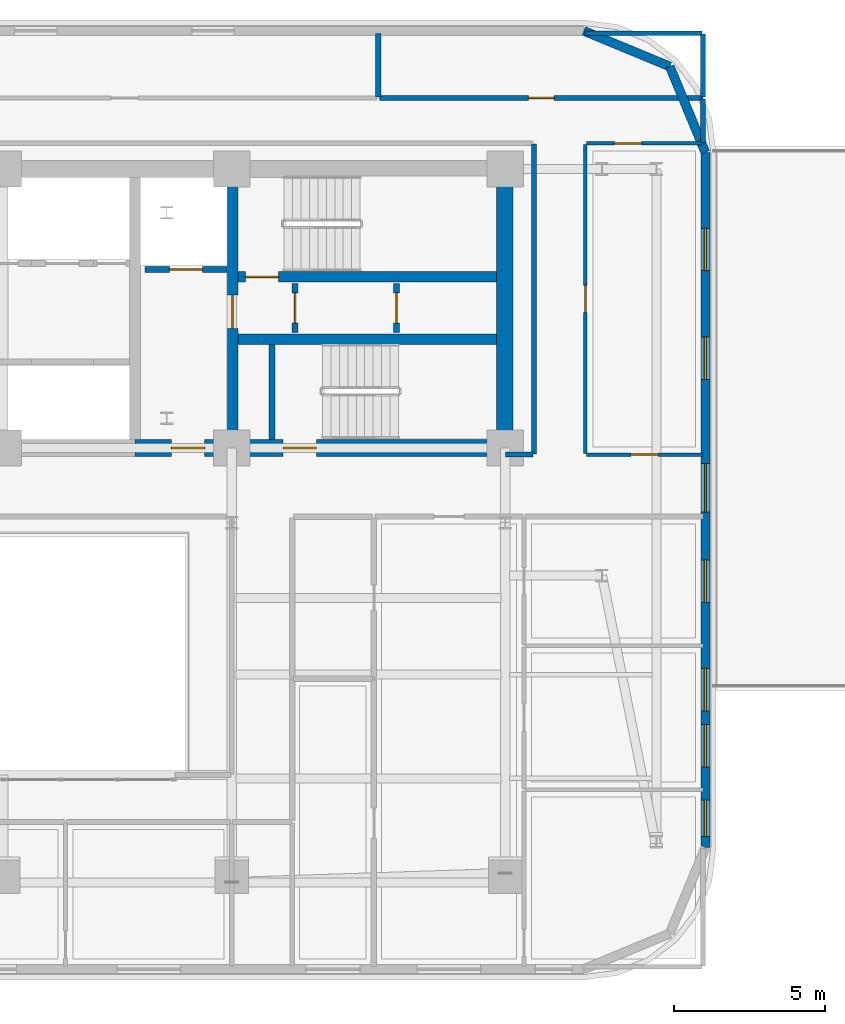
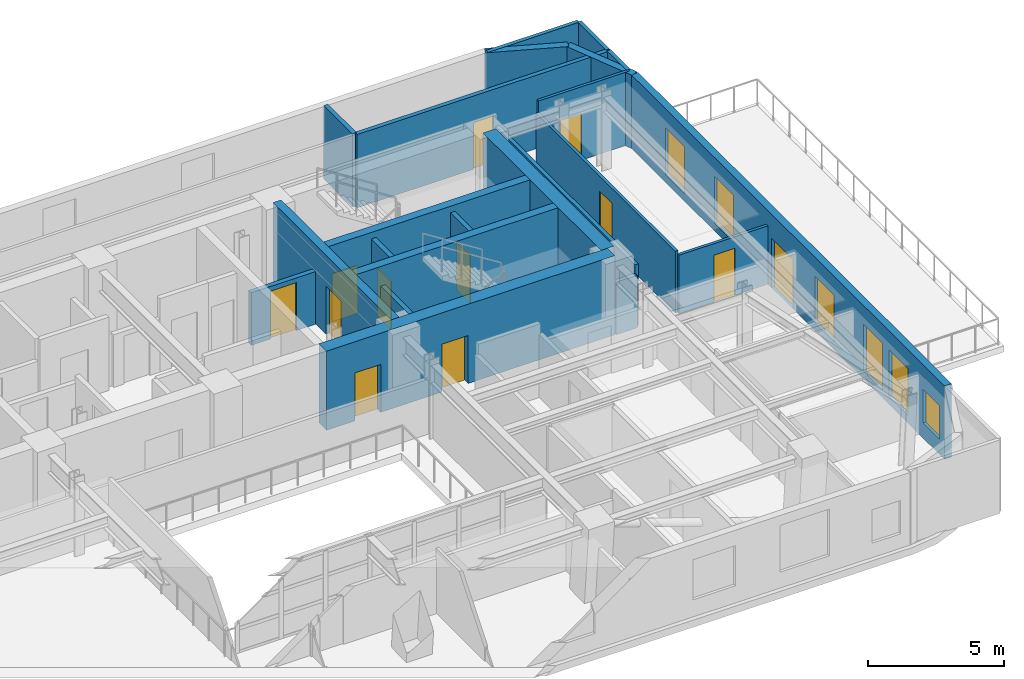
# One storey, part 9 of 13: 22 walls, 12 doors, 6 windows, 18 openings.
"""IFC4 building model written with IfcOpenShell, lengths in metres."""

from ifc_helpers import new_model, si_unit, direction, frame, frame_2d, origin, place, context, subcontext, project, spatial, rectangle, extrude, material, layer, layer_set, type_object, element, fill, save


model = new_model("IFC4")

# Units and contexts
model_context = context("Model", 3, precision=1e-05, world=origin(), true_north=direction((0.0, 1.0)))
body_context = subcontext(model_context, "Body", "Model", "MODEL_VIEW")
ifc_project = project(units=[si_unit("LENGTHUNIT", "METRE"), si_unit("AREAUNIT", "SQUARE_METRE"), si_unit("VOLUMEUNIT", "CUBIC_METRE"), si_unit("PLANEANGLEUNIT", "RADIAN"), si_unit("MASSUNIT", "GRAM", prefix="KILO")], contexts=[model_context])

# Site, building, storey
site_placement = place(None, origin())
site = spatial("IfcSite", under=ifc_project, at=site_placement, CompositionType="ELEMENT")
building_placement = place(site_placement, origin())
building = spatial("IfcBuilding", under=site, at=building_placement, Name="Zarnavel Station Tower", CompositionType="ELEMENT")
storey_placement = place(building_placement, frame((0.0, 0.0, 137.699951171875)))
storey = spatial("IfcBuildingStorey", under=building, at=storey_placement, Name="L37", CompositionType="ELEMENT", Elevation=137.699951171875)

# Wall, opening, door
ifc_material_1 = material(Name="Concrete C50/60", Category="concrete")
ifc_layer_1 = layer(ifc_material_1, 0.35009765625)
ifc_layer_set_1 = layer_set([ifc_layer_1], Name="CW_350")
wall_type_1 = type_object("IfcWallType", Name="CW_350", PredefinedType="SHEAR", material=ifc_layer_set_1)
wall_1_placement = place(storey_placement, frame((36.3798828125, 28.094970703125, 0.0), z_axis=(0.0, 0.0, 1.0), x_axis=(0.0, 1.0, 0.0)))
wall_1 = element("IfcWall", 1, at=wall_1_placement, inside=storey, type_object=wall_type_1, Name="L37 Rear Core Shear Wall DIV-S2", PredefinedType="SHEAR", context=body_context, shape_type="SweptSolid", body=[
    extrude(rectangle(XDim=8.679931640625, YDim=0.35009765625, at=frame_2d((4.33984375, 0.0))), origin(), (0.0, 0.0, 1.0), 3.550048828125),
])
opening_1_placement = place(wall_1_placement, frame((3.68505859375, 0.0, 0.0)))
opening_1 = element("IfcOpeningElement", 2, at=opening_1_placement, cuts=wall_1, Name="Opening FD01", PredefinedType="OPENING", context=body_context, shape_type="SweptSolid", body=[
    extrude(rectangle(XDim=1.10009765625, YDim=2.14990234375, at=frame_2d((0.550048828125, 1.074951171875))), frame((0.0, 0.18505859375, 0.0), z_axis=(0.0, -1.0, 0.0), x_axis=(1.0, 0.0, 0.0)), (0.0, 0.0, 1.0), 0.3701171875),
])
ifc_material_2 = material(Name="Painted Galvanised Steel and Hardwood Leaf", Category="steel")
door_type_1 = type_object("IfcDoorType", Name="ID_STAIR_1100", OperationType="NOTDEFINED", PredefinedType="DOOR", material=ifc_material_2)
door_1_placement = place(opening_1_placement, origin())
door_1 = element("IfcDoor", 3, at=door_1_placement, inside=storey, type_object=door_type_1, Name="L37 East Stair Vestibule Fire Door", OperationType="SINGLE_SWING_LEFT", OverallHeight=2.14990234375, OverallWidth=1.10009765625, PredefinedType="DOOR", context=body_context, shape_type="SweptSolid", body=[
    extrude(rectangle(XDim=1.10009765625, YDim=2.14990234375, at=frame_2d((0.550048828125, 1.074951171875))), frame((0.0, 0.02490234375, 0.0), z_axis=(0.0, -1.0, 0.0), x_axis=(1.0, 0.0, 0.0)), (0.0, 0.0, 1.0), 0.050048828125),
])
fill(opening_1, door_1)

wall_2_placement = place(storey_placement, frame((45.10498046875, 33.47998046875, 0.0), z_axis=(0.0, 0.0, 1.0), x_axis=(-1.0, 0.0, 0.0)))
wall_2 = element("IfcWall", 4, at=wall_2_placement, inside=storey, type_object=wall_type_1, Name="L37 Rear Core Shear Wall DIV-H2", PredefinedType="SHEAR", context=body_context, shape_type="SweptSolid", body=[
    extrude(rectangle(XDim=8.550048828125, YDim=0.35009765625, at=frame_2d((4.27490234375, 0.0))), origin(), (0.0, 0.0, 1.0), 3.550048828125),
])
opening_2_placement = place(wall_2_placement, frame((7.205078125, 0.0, 0.0)))
opening_2 = element("IfcOpeningElement", 5, at=opening_2_placement, cuts=wall_2, Name="Opening FD01", PredefinedType="OPENING", context=body_context, shape_type="SweptSolid", body=[
    extrude(rectangle(XDim=1.10009765625, YDim=2.14990234375, at=frame_2d((0.550048828125, 1.074951171875))), frame((0.0, 0.18505859375, 0.0), z_axis=(0.0, -1.0, 0.0), x_axis=(1.0, 0.0, 0.0)), (0.0, 0.0, 1.0), 0.3701171875),
])
door_2_placement = place(opening_2_placement, origin())
door_2 = element("IfcDoor", 6, at=door_2_placement, inside=storey, type_object=door_type_1, Name="L37 Stair ST2 Lobby Fire Door", OperationType="SINGLE_SWING_RIGHT", OverallHeight=2.14990234375, OverallWidth=1.10009765625, PredefinedType="DOOR", context=body_context, shape_type="SweptSolid", body=[
    extrude(rectangle(XDim=1.10009765625, YDim=2.14990234375, at=frame_2d((0.550048828125, 1.074951171875))), frame((0.0, 0.02490234375, 0.0), z_axis=(0.0, -1.0, 0.0), x_axis=(1.0, 0.0, 0.0)), (0.0, 0.0, 1.0), 0.050048828125),
])
fill(opening_2, door_2)

# Wall
wall_3_placement = place(storey_placement, frame((36.554931640625, 31.419921875, 0.0), z_axis=(0.0, 0.0, 1.0), x_axis=(1.0, 0.0, 0.0)))
element("IfcWall", 7, at=wall_3_placement, inside=storey, type_object=wall_type_1, Name="L37 Rear Core Shear Wall DIV-H3", PredefinedType="SHEAR", context=body_context, shape_type="SweptSolid", body=[
    extrude(rectangle(XDim=8.550048828125, YDim=0.35009765625, at=frame_2d((4.27490234375, 0.0))), origin(), (0.0, 0.0, 1.0), 3.550048828125),
])

# Wall, openings, doors
ifc_material_3 = material(Name="Concrete C50/60", Category="concrete")
ifc_layer_2 = layer(ifc_material_3, 0.550048828125)
ifc_layer_set_2 = layer_set([ifc_layer_2], Name="CW_550")
wall_type_2 = type_object("IfcWallType", Name="CW_550", PredefinedType="SHEAR", material=ifc_layer_set_2)
wall_4_placement = place(storey_placement, frame((45.3798828125, 27.820068359375, 0.0), z_axis=(0.0, 0.0, 1.0), x_axis=(-1.0, 0.0, 0.0)))
wall_4 = element("IfcWall", 8, at=wall_4_placement, inside=storey, type_object=wall_type_2, Name="L37 Rear Core Shear Wall S-E", PredefinedType="SHEAR", context=body_context, shape_type="SweptSolid", body=[
    extrude(rectangle(XDim=12.22998046875, YDim=0.550048828125, at=frame_2d((6.114990234375, 0.0))), origin(), (0.0, 0.0, 1.0), 3.550048828125),
])
opening_3_placement = place(wall_4_placement, frame((9.929931640625, 0.0, 0.0)))
opening_3 = element("IfcOpeningElement", 9, at=opening_3_placement, cuts=wall_4, Name="Opening FD01", PredefinedType="OPENING", context=body_context, shape_type="SweptSolid", body=[
    extrude(rectangle(XDim=1.10009765625, YDim=2.14990234375, at=frame_2d((0.550048828125, 1.074951171875))), frame((0.0, 0.284912109375, 0.0), z_axis=(0.0, -1.0, 0.0), x_axis=(1.0, 0.0, 0.0)), (0.0, 0.0, 1.0), 0.570068359375),
])
opening_4_placement = place(wall_4_placement, frame((6.22998046875, 0.0, 0.0)))
opening_4 = element("IfcOpeningElement", 10, at=opening_4_placement, cuts=wall_4, Name="Opening FD01", PredefinedType="OPENING", context=body_context, shape_type="SweptSolid", body=[
    extrude(rectangle(XDim=1.10009765625, YDim=2.14990234375, at=frame_2d((0.550048828125, 1.074951171875))), frame((0.0, 0.284912109375, 0.0), z_axis=(0.0, -1.0, 0.0), x_axis=(1.0, 0.0, 0.0)), (0.0, 0.0, 1.0), 0.570068359375),
])
door_3_placement = place(opening_3_placement, origin())
door_3 = element("IfcDoor", 11, at=door_3_placement, inside=storey, type_object=door_type_1, Name="L37 East Firefighting Lobby Door", OperationType="SINGLE_SWING_LEFT", OverallHeight=2.14990234375, OverallWidth=1.10009765625, PredefinedType="DOOR", context=body_context, shape_type="SweptSolid", body=[
    extrude(rectangle(XDim=1.10009765625, YDim=2.14990234375, at=frame_2d((0.550048828125, 1.074951171875))), frame((0.0, 0.02490234375, 0.0), z_axis=(0.0, -1.0, 0.0), x_axis=(1.0, 0.0, 0.0)), (0.0, 0.0, 1.0), 0.050048828125),
])
fill(opening_3, door_3)
door_4_placement = place(opening_4_placement, origin())
door_4 = element("IfcDoor", 12, at=door_4_placement, inside=storey, type_object=door_type_1, Name="L37 Stair ST3 Corridor Fire Door", OperationType="SINGLE_SWING_RIGHT", OverallHeight=2.14990234375, OverallWidth=1.10009765625, PredefinedType="DOOR", context=body_context, shape_type="SweptSolid", body=[
    extrude(rectangle(XDim=1.10009765625, YDim=2.14990234375, at=frame_2d((0.550048828125, 1.074951171875))), frame((0.0, 0.02490234375, 0.0), z_axis=(0.0, -1.0, 0.0), x_axis=(1.0, 0.0, 0.0)), (0.0, 0.0, 1.0), 0.050048828125),
])
fill(opening_4, door_4)

# Wall
wall_5_placement = place(storey_placement, frame((45.3798828125, 28.094970703125, 0.0), z_axis=(0.0, 0.0, 1.0), x_axis=(0.0, 1.0, 0.0)))
element("IfcWall", 13, at=wall_5_placement, inside=storey, type_object=wall_type_2, Name="L37 Rear Core Shear Wall E", PredefinedType="SHEAR", context=body_context, shape_type="SweptSolid", body=[
    extrude(rectangle(XDim=8.679931640625, YDim=0.550048828125, at=frame_2d((4.33984375, 0.0))), origin(), (0.0, 0.0, 1.0), 3.550048828125),
])

# Wall, openings, door, windows
ifc_material_4 = material(Name="Precast concrete C45/55 (Dark Basalt Finish)", Category="masonry")
ifc_layer_3 = layer(ifc_material_4, 0.300048828125)
ifc_layer_set_3 = layer_set([ifc_layer_3], Name="EW_BASALT_300")
wall_type_3 = type_object("IfcWallType", Name="EW_BASALT_300", PredefinedType="SOLIDWALL", material=ifc_layer_set_3)
wall_6_placement = place(storey_placement, frame((52.02001953125, 37.60009765625, 0.0), z_axis=(0.0, 0.0, 1.0), x_axis=(0.0, -1.0, 0.0)))
wall_6 = element("IfcWall", 14, at=wall_6_placement, inside=storey, type_object=wall_type_3, Name="L37 Exterior Basalt Masonry Frame Wall 03", PredefinedType="SOLIDWALL", context=body_context, shape_type="SweptSolid", body=[
    extrude(rectangle(XDim=23.0, YDim=0.300048828125, at=frame_2d((11.5, 0.0))), origin(), (0.0, 0.0, 1.0), 3.2900390625),
])
opening_5_placement = place(wall_6_placement, frame((10.300048828125, 0.0, 0.0)))
opening_5 = element("IfcOpeningElement", 15, at=opening_5_placement, cuts=wall_6, Name="Opening ED03", PredefinedType="OPENING", context=body_context, shape_type="SweptSolid", body=[
    extrude(rectangle(XDim=1.60009765625, YDim=2.199951171875, at=frame_2d((0.800048828125, 1.10009765625))), frame((0.0, 0.159912109375, 0.0), z_axis=(0.0, -1.0, 0.0), x_axis=(1.0, 0.0, 0.0)), (0.0, 0.0, 1.0), 0.320068359375),
])
opening_6_placement = place(wall_6_placement, frame((2.51318359375, 0.0, 0.340087890625)))
opening_6 = element("IfcOpeningElement", 16, at=opening_6_placement, cuts=wall_6, Name="Opening WN04", PredefinedType="OPENING", context=body_context, shape_type="SweptSolid", body=[
    extrude(rectangle(XDim=1.39990234375, YDim=2.10009765625, at=frame_2d((0.699951171875, 1.050048828125))), frame((0.0, 0.159912109375, 0.0), z_axis=(0.0, -1.0, 0.0), x_axis=(1.0, 0.0, 0.0)), (0.0, 0.0, 1.0), 0.320068359375),
])
opening_7_placement = place(wall_6_placement, frame((6.106689453125, 0.0, 0.340087890625)))
opening_7 = element("IfcOpeningElement", 17, at=opening_7_placement, cuts=wall_6, Name="Opening WN04", PredefinedType="OPENING", context=body_context, shape_type="SweptSolid", body=[
    extrude(rectangle(XDim=1.39990234375, YDim=2.10009765625, at=frame_2d((0.699951171875, 1.050048828125))), frame((0.0, 0.159912109375, 0.0), z_axis=(0.0, -1.0, 0.0), x_axis=(1.0, 0.0, 0.0)), (0.0, 0.0, 1.0), 0.320068359375),
])
opening_8_placement = place(wall_6_placement, frame((21.431396484375, 0.0, 0.679931640625)))
opening_8 = element("IfcOpeningElement", 18, at=opening_8_placement, cuts=wall_6, Name="Opening WN08", PredefinedType="OPENING", context=body_context, shape_type="SweptSolid", body=[
    extrude(rectangle(XDim=1.199951171875, YDim=1.5, at=frame_2d((0.60009765625, 0.75))), frame((0.0, 0.159912109375, 0.0), z_axis=(0.0, -1.0, 0.0), x_axis=(1.0, 0.0, 0.0)), (0.0, 0.0, 1.0), 0.320068359375),
])
opening_9_placement = place(wall_6_placement, frame((17.072998046875, 0.0, 0.340087890625)))
opening_9 = element("IfcOpeningElement", 19, at=opening_9_placement, cuts=wall_6, Name="Opening WN04", PredefinedType="OPENING", context=body_context, shape_type="SweptSolid", body=[
    extrude(rectangle(XDim=1.39990234375, YDim=2.10009765625, at=frame_2d((0.699951171875, 1.050048828125))), frame((0.0, 0.159912109375, 0.0), z_axis=(0.0, -1.0, 0.0), x_axis=(1.0, 0.0, 0.0)), (0.0, 0.0, 1.0), 0.320068359375),
])
opening_10_placement = place(wall_6_placement, frame((18.927978515625, 0.0, 0.340087890625)))
opening_10 = element("IfcOpeningElement", 20, at=opening_10_placement, cuts=wall_6, Name="Opening WN04", PredefinedType="OPENING", context=body_context, shape_type="SweptSolid", body=[
    extrude(rectangle(XDim=1.39990234375, YDim=2.10009765625, at=frame_2d((0.699951171875, 1.050048828125))), frame((0.0, 0.159912109375, 0.0), z_axis=(0.0, -1.0, 0.0), x_axis=(1.0, 0.0, 0.0)), (0.0, 0.0, 1.0), 0.320068359375),
])
opening_11_placement = place(wall_6_placement, frame((13.48388671875, 0.0, 0.340087890625)))
opening_11 = element("IfcOpeningElement", 21, at=opening_11_placement, cuts=wall_6, Name="Opening WN04", PredefinedType="OPENING", context=body_context, shape_type="SweptSolid", body=[
    extrude(rectangle(XDim=1.39990234375, YDim=2.10009765625, at=frame_2d((0.699951171875, 1.050048828125))), frame((0.0, 0.159912109375, 0.0), z_axis=(0.0, -1.0, 0.0), x_axis=(1.0, 0.0, 0.0)), (0.0, 0.0, 1.0), 0.320068359375),
])
ifc_material_5 = material(Name="Thermally Broken Black Aluminium and Laminated Safety Glass", Category="aluminium")
door_type_2 = type_object("IfcDoorType", Name="ED_TERR_1600", OperationType="DOUBLE_DOOR_SLIDING", PredefinedType="DOOR", material=ifc_material_5)
door_5_placement = place(opening_5_placement, origin())
door_5 = element("IfcDoor", 22, at=door_5_placement, inside=storey, type_object=door_type_2, Name="L37 E Setback Terrace Door", OperationType="DOUBLE_DOOR_SLIDING", OverallHeight=2.199951171875, OverallWidth=1.60009765625, PredefinedType="DOOR", context=body_context, shape_type="SweptSolid", body=[
    extrude(rectangle(XDim=1.60009765625, YDim=2.199951171875, at=frame_2d((0.800048828125, 1.10009765625))), frame((0.0, 0.02490234375, 0.0), z_axis=(0.0, -1.0, 0.0), x_axis=(1.0, 0.0, 0.0)), (0.0, 0.0, 1.0), 0.050048828125),
])
fill(opening_5, door_5)
ifc_material_6 = material(Name="Thermally Broken Black Aluminium and Low-E Dark Glass", Category="aluminium")
window_type_1 = type_object("IfcWindowType", Name="WN_1200x1500", PartitioningType="SINGLE_PANEL", PredefinedType="WINDOW", material=ifc_material_6)
window_1_placement = place(opening_8_placement, origin())
window_1 = element("IfcWindow", 23, at=window_1_placement, inside=storey, type_object=window_type_1, Name="L37 Recessed Facade Window 03", OverallHeight=1.5, OverallWidth=1.199951171875, PartitioningType="SINGLE_PANEL", PredefinedType="WINDOW", context=body_context, shape_type="SweptSolid", body=[
    extrude(rectangle(XDim=1.199951171875, YDim=1.5, at=frame_2d((0.60009765625, 0.75))), frame((0.0, 0.030029296875, 0.0), z_axis=(0.0, -1.0, 0.0), x_axis=(1.0, 0.0, 0.0)), (0.0, 0.0, 1.0), 0.06005859375),
])
fill(opening_8, window_1)
ifc_material_7 = material(Name="Thermally Broken Black Aluminium and Low-E Dark Glass", Category="aluminium")
window_type_2 = type_object("IfcWindowType", Name="WN_1400x2100", PartitioningType="DOUBLE_PANEL_VERTICAL", PredefinedType="WINDOW", material=ifc_material_7)
window_2_placement = place(opening_6_placement, origin())
window_2 = element("IfcWindow", 24, at=window_2_placement, inside=storey, type_object=window_type_2, Name="L37 Recessed Facade Window 01", OverallHeight=2.10009765625, OverallWidth=1.39990234375, PartitioningType="SINGLE_PANEL", PredefinedType="WINDOW", context=body_context, shape_type="SweptSolid", body=[
    extrude(rectangle(XDim=1.39990234375, YDim=2.10009765625, at=frame_2d((0.699951171875, 1.050048828125))), frame((0.0, 0.030029296875, 0.0), z_axis=(0.0, -1.0, 0.0), x_axis=(1.0, 0.0, 0.0)), (0.0, 0.0, 1.0), 0.06005859375),
])
fill(opening_6, window_2)
window_3_placement = place(opening_7_placement, origin())
window_3 = element("IfcWindow", 25, at=window_3_placement, inside=storey, type_object=window_type_2, Name="L37 Recessed Facade Window 02", OverallHeight=2.10009765625, OverallWidth=1.39990234375, PartitioningType="SINGLE_PANEL", PredefinedType="WINDOW", context=body_context, shape_type="SweptSolid", body=[
    extrude(rectangle(XDim=1.39990234375, YDim=2.10009765625, at=frame_2d((0.699951171875, 1.050048828125))), frame((0.0, 0.030029296875, 0.0), z_axis=(0.0, -1.0, 0.0), x_axis=(1.0, 0.0, 0.0)), (0.0, 0.0, 1.0), 0.06005859375),
])
fill(opening_7, window_3)
window_4_placement = place(opening_9_placement, origin())
window_4 = element("IfcWindow", 26, at=window_4_placement, inside=storey, type_object=window_type_2, Name="L37 Recessed Facade Window 04", OverallHeight=2.10009765625, OverallWidth=1.39990234375, PartitioningType="SINGLE_PANEL", PredefinedType="WINDOW", context=body_context, shape_type="SweptSolid", body=[
    extrude(rectangle(XDim=1.39990234375, YDim=2.10009765625, at=frame_2d((0.699951171875, 1.050048828125))), frame((0.0, 0.030029296875, 0.0), z_axis=(0.0, -1.0, 0.0), x_axis=(1.0, 0.0, 0.0)), (0.0, 0.0, 1.0), 0.06005859375),
])
fill(opening_9, window_4)
window_5_placement = place(opening_10_placement, origin())
window_5 = element("IfcWindow", 27, at=window_5_placement, inside=storey, type_object=window_type_2, Name="L37 Recessed Facade Window 05", OverallHeight=2.10009765625, OverallWidth=1.39990234375, PartitioningType="SINGLE_PANEL", PredefinedType="WINDOW", context=body_context, shape_type="SweptSolid", body=[
    extrude(rectangle(XDim=1.39990234375, YDim=2.10009765625, at=frame_2d((0.699951171875, 1.050048828125))), frame((0.0, 0.030029296875, 0.0), z_axis=(0.0, -1.0, 0.0), x_axis=(1.0, 0.0, 0.0)), (0.0, 0.0, 1.0), 0.06005859375),
])
fill(opening_10, window_5)
window_6_placement = place(opening_11_placement, origin())
window_6 = element("IfcWindow", 28, at=window_6_placement, inside=storey, type_object=window_type_2, Name="L37 Recessed Facade Window 06", OverallHeight=2.10009765625, OverallWidth=1.39990234375, PartitioningType="SINGLE_PANEL", PredefinedType="WINDOW", context=body_context, shape_type="SweptSolid", body=[
    extrude(rectangle(XDim=1.39990234375, YDim=2.10009765625, at=frame_2d((0.699951171875, 1.050048828125))), frame((0.0, 0.030029296875, 0.0), z_axis=(0.0, -1.0, 0.0), x_axis=(1.0, 0.0, 0.0)), (0.0, 0.0, 1.0), 0.06005859375),
])
fill(opening_11, window_6)

# Walls
for number, where, z_axis, x_axis, name in (
    (29, (50.842529296875, 40.442626953125, 0.0), (0.0, 0.0, 1.0), (0.382704529509, -0.923870793506, 0.0), "L37 Exterior Basalt Masonry Frame Wall 04"),
    (30, (48.0, 41.6201171875, 0.0), (0.0, 0.0, 1.0), (0.923870793506, -0.382704529509, 0.0), "L37 Exterior Basalt Masonry Frame Wall 05"),
):
    element("IfcWall", number, at=place(storey_placement, frame(where, z_axis=z_axis, x_axis=x_axis)), inside=storey, type_object=wall_type_3, Name=name, PredefinedType="SOLIDWALL", context=body_context, shape_type="SweptSolid", body=[
        extrude(rectangle(XDim=3.07666015625, YDim=0.300048828125, at=frame_2d((1.538330078125, 0.0))), origin(), (0.0, 0.0, 1.0), 3.2900390625),
    ])
ifc_material_8 = material(Name="Gypsum Twin-Stud Acoustic Fire Partition", Category="concrete")
ifc_layer_4 = layer(ifc_material_8, 0.159912109375)
ifc_layer_set_4 = layer_set([ifc_layer_4], Name="PT_DEMISE_160")
wall_type_4 = type_object("IfcWallType", Name="PT_DEMISE_160", PredefinedType="PARTITIONING", material=ifc_layer_set_4)
wall_7_placement = place(storey_placement, frame((45.409912109375, 27.60009765625, 0.0), z_axis=(0.0, 0.0, 1.0), x_axis=(1.0, 0.0, 0.0)))
element("IfcWall", 31, at=wall_7_placement, inside=storey, type_object=wall_type_4, Name="L37 Enclosure Wall COR-S", PredefinedType="PARTITIONING", context=body_context, shape_type="SweptSolid", body=[
    extrude(rectangle(XDim=0.91015625, YDim=0.159912109375, at=frame_2d((0.455078125, 0.0))), origin(), (0.0, 0.0, 1.0), 2.360107421875),
])
wall_8_placement = place(storey_placement, frame((46.35009765625, 27.6298828125, 0.0), z_axis=(0.0, 0.0, 1.0), x_axis=(0.0, 1.0, 0.0)))
element("IfcWall", 32, at=wall_8_placement, inside=storey, type_object=wall_type_4, Name="L37 Enclosure Wall COR-E", PredefinedType="PARTITIONING", context=body_context, shape_type="SweptSolid", body=[
    extrude(rectangle(XDim=10.240234375, YDim=0.159912109375, at=frame_2d((5.1201171875, 0.0))), origin(), (0.0, 0.0, 1.0), 2.77001953125),
])
wall_9_placement = place(storey_placement, frame((51.93994140625, 37.929931640625, 0.0), z_axis=(0.0, 0.0, 1.0), x_axis=(0.0, 1.0, 0.0)))
element("IfcWall", 33, at=wall_9_placement, inside=storey, type_object=wall_type_4, Name="L37 Enclosure Wall COR-N", PredefinedType="PARTITIONING", context=body_context, shape_type="SweptSolid", body=[
    extrude(rectangle(XDim=1.440185546875, YDim=0.159912109375, at=frame_2d((0.72021484375, 0.0))), origin(), (0.0, 0.0, 1.0), 3.2900390625),
])
wall_10_placement = place(storey_placement, frame((48.030029296875, 41.5400390625, 0.0), z_axis=(0.0, 0.0, 1.0), x_axis=(1.0, 0.0, 0.0)))
element("IfcWall", 34, at=wall_10_placement, inside=storey, type_object=wall_type_4, Name="L37 Enclosure Wall NWC", PredefinedType="PARTITIONING", context=body_context, shape_type="SweptSolid", body=[
    extrude(rectangle(XDim=3.8798828125, YDim=0.159912109375, at=frame_2d((1.93994140625, 0.0))), origin(), (0.0, 0.0, 1.0), 3.2900390625),
])
wall_11_placement = place(storey_placement, frame((51.93994140625, 39.429931640625, 0.0), z_axis=(0.0, 0.0, 1.0), x_axis=(0.0, 1.0, 0.0)))
element("IfcWall", 35, at=wall_11_placement, inside=storey, type_object=wall_type_4, Name="L37 Enclosure Wall NWC", PredefinedType="PARTITIONING", context=body_context, shape_type="SweptSolid", body=[
    extrude(rectangle(XDim=2.080078125, YDim=0.159912109375, at=frame_2d((1.0400390625, 0.0))), origin(), (0.0, 0.0, 1.0), 3.2900390625),
])

# Wall, opening, door
ifc_material_9 = material(Name="Gypsum Metal-Stud Interior Partition", Category="concrete")
ifc_layer_5 = layer(ifc_material_9, 0.1201171875)
ifc_layer_set_5 = layer_set([ifc_layer_5], Name="PT_ROOM_120")
wall_type_5 = type_object("IfcWallType", Name="PT_ROOM_120", PredefinedType="PARTITIONING", material=ifc_layer_set_5)
wall_12_placement = place(storey_placement, frame((48.090087890625, 27.60009765625, 0.0), z_axis=(0.0, 0.0, 1.0), x_axis=(1.0, 0.0, 0.0)))
wall_12 = element("IfcWall", 36, at=wall_12_placement, inside=storey, type_object=wall_type_5, Name="L37 Partition COR-S-FNE", PredefinedType="PARTITIONING", context=body_context, shape_type="SweptSolid", body=[
    extrude(rectangle(XDim=3.849853515625, YDim=0.1201171875, at=frame_2d((1.9248046875, 0.0))), origin(), (0.0, 0.0, 1.0), 2.6201171875),
])
opening_12_placement = place(wall_12_placement, frame((1.47509765625, 0.0, 0.0)))
opening_12 = element("IfcOpeningElement", 37, at=opening_12_placement, cuts=wall_12, Name="Opening ID01", PredefinedType="OPENING", context=body_context, shape_type="SweptSolid", body=[
    extrude(rectangle(XDim=0.89990234375, YDim=2.10009765625, at=frame_2d((0.449951171875, 1.050048828125))), frame((0.0, 0.070068359375, 0.0), z_axis=(0.0, -1.0, 0.0), x_axis=(1.0, 0.0, 0.0)), (0.0, 0.0, 1.0), 0.14013671875),
])
ifc_material_10 = material(Name="Painted Galvanised Steel and Hardwood Leaf", Category="steel")
door_type_3 = type_object("IfcDoorType", Name="ID_ROOM_900", OperationType="NOTDEFINED", PredefinedType="DOOR", material=ifc_material_10)
door_6_placement = place(opening_12_placement, origin())
door_6 = element("IfcDoor", 38, at=door_6_placement, inside=storey, type_object=door_type_3, Name="L37 Door COR-S-FNE", OperationType="SINGLE_SWING_LEFT", OverallHeight=2.10009765625, OverallWidth=0.89990234375, PredefinedType="DOOR", context=body_context, shape_type="SweptSolid", body=[
    extrude(rectangle(XDim=0.89990234375, YDim=2.10009765625, at=frame_2d((0.449951171875, 1.050048828125))), frame((0.0, 0.02490234375, 0.0), z_axis=(0.0, -1.0, 0.0), x_axis=(1.0, 0.0, 0.0)), (0.0, 0.0, 1.0), 0.050048828125),
])
fill(opening_12, door_6)

wall_13_placement = place(storey_placement, frame((48.050048828125, 27.639892578125, 0.0), z_axis=(0.0, 0.0, 1.0), x_axis=(0.0, 1.0, 0.0)))
wall_13 = element("IfcWall", 39, at=wall_13_placement, inside=storey, type_object=wall_type_5, Name="L37 Partition COR-E-FNE", PredefinedType="PARTITIONING", context=body_context, shape_type="SweptSolid", body=[
    extrude(rectangle(XDim=10.22021484375, YDim=0.1201171875, at=frame_2d((5.110107421875, 0.0))), origin(), (0.0, 0.0, 1.0), 2.77001953125),
])
opening_13_placement = place(wall_13_placement, frame((4.659912109375, 0.0, 0.0)))
opening_13 = element("IfcOpeningElement", 40, at=opening_13_placement, cuts=wall_13, Name="Opening ID01", PredefinedType="OPENING", context=body_context, shape_type="SweptSolid", body=[
    extrude(rectangle(XDim=0.89990234375, YDim=2.10009765625, at=frame_2d((0.449951171875, 1.050048828125))), frame((0.0, 0.070068359375, 0.0), z_axis=(0.0, -1.0, 0.0), x_axis=(1.0, 0.0, 0.0)), (0.0, 0.0, 1.0), 0.14013671875),
])
door_7_placement = place(opening_13_placement, origin())
door_7 = element("IfcDoor", 41, at=door_7_placement, inside=storey, type_object=door_type_3, Name="L37 Door COR-E-FNE", OperationType="SINGLE_SWING_RIGHT", OverallHeight=2.10009765625, OverallWidth=0.89990234375, PredefinedType="DOOR", context=body_context, shape_type="SweptSolid", body=[
    extrude(rectangle(XDim=0.89990234375, YDim=2.10009765625, at=frame_2d((0.449951171875, 1.050048828125))), frame((0.0, 0.02490234375, 0.0), z_axis=(0.0, -1.0, 0.0), x_axis=(1.0, 0.0, 0.0)), (0.0, 0.0, 1.0), 0.050048828125),
])
fill(opening_13, door_7)

wall_14_placement = place(storey_placement, frame((48.090087890625, 37.89990234375, 0.0), z_axis=(0.0, 0.0, 1.0), x_axis=(1.0, 0.0, 0.0)))
wall_14 = element("IfcWall", 42, at=wall_14_placement, inside=storey, type_object=wall_type_5, Name="L37 Partition COR-N-FNE", PredefinedType="PARTITIONING", context=body_context, shape_type="SweptSolid", body=[
    extrude(rectangle(XDim=3.849853515625, YDim=0.1201171875, at=frame_2d((1.9248046875, 0.0))), origin(), (0.0, 0.0, 1.0), 3.2900390625),
])
opening_14_placement = place(wall_14_placement, frame((0.918701171875, 0.0, 0.0)))
opening_14 = element("IfcOpeningElement", 43, at=opening_14_placement, cuts=wall_14, Name="Opening ID01", PredefinedType="OPENING", context=body_context, shape_type="SweptSolid", body=[
    extrude(rectangle(XDim=0.89990234375, YDim=2.10009765625, at=frame_2d((0.449951171875, 1.050048828125))), frame((0.0, 0.070068359375, 0.0), z_axis=(0.0, -1.0, 0.0), x_axis=(1.0, 0.0, 0.0)), (0.0, 0.0, 1.0), 0.14013671875),
])
door_8_placement = place(opening_14_placement, origin())
door_8 = element("IfcDoor", 44, at=door_8_placement, inside=storey, type_object=door_type_3, Name="L37 Door COR-N-FNE", OperationType="SINGLE_SWING_RIGHT", OverallHeight=2.10009765625, OverallWidth=0.89990234375, PredefinedType="DOOR", context=body_context, shape_type="SweptSolid", body=[
    extrude(rectangle(XDim=0.89990234375, YDim=2.10009765625, at=frame_2d((0.449951171875, 1.050048828125))), frame((0.0, 0.02490234375, 0.0), z_axis=(0.0, -1.0, 0.0), x_axis=(1.0, 0.0, 0.0)), (0.0, 0.0, 1.0), 0.050048828125),
])
fill(opening_14, door_8)

ifc_material_11 = material(Name="Precast concrete C45/55 (Fire Shaft Blockwork)", Category="masonry")
ifc_layer_6 = layer(ifc_material_11, 0.199951171875)
ifc_layer_set_6 = layer_set([ifc_layer_6], Name="PT_SHAFT_200")
wall_type_6 = type_object("IfcWallType", Name="PT_SHAFT_200", PredefinedType="PARTITIONING", material=ifc_layer_set_6)
wall_15_placement = place(storey_placement, frame((33.47509765625, 33.72998046875, 0.0), z_axis=(0.0, 0.0, 1.0), x_axis=(1.0, 0.0, 0.0)))
wall_15 = element("IfcWall", 45, at=wall_15_placement, inside=storey, type_object=wall_type_6, Name="L37 Lift FFL-02 Shaft Front Wall", PredefinedType="PARTITIONING", context=body_context, shape_type="SweptSolid", body=[
    extrude(rectangle(XDim=2.724853515625, YDim=0.199951171875, at=frame_2d((1.3623046875, 0.0))), origin(), (0.0, 0.0, 1.0), 2.360107421875),
])
opening_15_placement = place(wall_15_placement, frame((0.8125, 0.0, 0.0)))
opening_15 = element("IfcOpeningElement", 46, at=opening_15_placement, cuts=wall_15, Name="Opening LD01", PredefinedType="OPENING", context=body_context, shape_type="SweptSolid", body=[
    extrude(rectangle(XDim=1.10009765625, YDim=2.14990234375, at=frame_2d((0.550048828125, 1.074951171875))), frame((0.0, 0.10986328125, 0.0), z_axis=(0.0, -1.0, 0.0), x_axis=(1.0, 0.0, 0.0)), (0.0, 0.0, 1.0), 0.219970703125),
])
ifc_material_12 = material(Name="Painted Galvanised Steel and Hardwood Leaf", Category="steel")
door_type_4 = type_object("IfcDoorType", Name="LD_FF_1100", OperationType="DOUBLE_DOOR_SLIDING", PredefinedType="DOOR", material=ifc_material_12)
door_9_placement = place(opening_15_placement, origin())
door_9 = element("IfcDoor", 47, at=door_9_placement, inside=storey, type_object=door_type_4, Name="L37 Lift FFL-02 Sliding Landing Door", OperationType="DOUBLE_DOOR_SLIDING", OverallHeight=2.14990234375, OverallWidth=1.10009765625, PredefinedType="DOOR", context=body_context, shape_type="SweptSolid", body=[
    extrude(rectangle(XDim=1.10009765625, YDim=2.14990234375, at=frame_2d((0.550048828125, 1.074951171875))), frame((0.0, 0.02490234375, 0.0), z_axis=(0.0, -1.0, 0.0), x_axis=(1.0, 0.0, 0.0)), (0.0, 0.0, 1.0), 0.050048828125),
])
fill(opening_15, door_9)

# Wall
wall_16_placement = place(storey_placement, frame((37.679931640625, 28.094970703125, 0.0), z_axis=(0.0, 0.0, 1.0), x_axis=(0.0, 1.0, 0.0)))
element("IfcWall", 48, at=wall_16_placement, inside=storey, type_object=wall_type_6, Name="L37 Stair ST3 West Shaft Wall", PredefinedType="PARTITIONING", context=body_context, shape_type="SweptSolid", body=[
    extrude(rectangle(XDim=3.155029296875, YDim=0.199951171875, at=frame_2d((1.57763671875, 0.0))), origin(), (0.0, 0.0, 1.0), 2.670166015625),
])

# Wall, opening, door
wall_17_placement = place(storey_placement, frame((38.449951171875, 31.639892578125, 0.0), z_axis=(0.0, 0.0, 1.0), x_axis=(0.0, 1.0, 0.0)))
wall_17 = element("IfcWall", 49, at=wall_17_placement, inside=storey, type_object=wall_type_6, Name="L37 Partition ESTV-CEA", PredefinedType="PARTITIONING", context=body_context, shape_type="SweptSolid", body=[
    extrude(rectangle(XDim=1.6201171875, YDim=0.199951171875, at=frame_2d((0.81005859375, 0.0))), origin(), (0.0, 0.0, 1.0), 3.2900390625),
])
opening_16_placement = place(wall_17_placement, frame((0.31005859375, 0.0, 0.0)))
opening_16 = element("IfcOpeningElement", 50, at=opening_16_placement, cuts=wall_17, Name="Opening FD02", PredefinedType="OPENING", context=body_context, shape_type="SweptSolid", body=[
    extrude(rectangle(XDim=1.0, YDim=2.14990234375, at=frame_2d((0.5, 1.074951171875))), frame((0.0, 0.10986328125, 0.0), z_axis=(0.0, -1.0, 0.0), x_axis=(1.0, 0.0, 0.0)), (0.0, 0.0, 1.0), 0.219970703125),
])
ifc_material_13 = material(Name="Painted Galvanised Steel and Hardwood Leaf", Category="steel")
door_type_5 = type_object("IfcDoorType", Name="ID_ENTRY_1000", OperationType="NOTDEFINED", PredefinedType="DOOR", material=ifc_material_13)
door_10_placement = place(opening_16_placement, origin())
door_10 = element("IfcDoor", 51, at=door_10_placement, inside=storey, type_object=door_type_5, Name="L37 Door ESTV-CEA", OperationType="SINGLE_SWING_RIGHT", OverallHeight=2.14990234375, OverallWidth=1.0, PredefinedType="DOOR", context=body_context, shape_type="SweptSolid", body=[
    extrude(rectangle(XDim=1.0, YDim=2.14990234375, at=frame_2d((0.5, 1.074951171875))), frame((0.0, 0.02490234375, 0.0), z_axis=(0.0, -1.0, 0.0), x_axis=(1.0, 0.0, 0.0)), (0.0, 0.0, 1.0), 0.050048828125),
])
fill(opening_16, door_10)

wall_18_placement = place(storey_placement, frame((41.800048828125, 31.639892578125, 0.0), z_axis=(0.0, 0.0, 1.0), x_axis=(0.0, 1.0, 0.0)))
wall_18 = element("IfcWall", 52, at=wall_18_placement, inside=storey, type_object=wall_type_6, Name="L37 Partition CEA-CEB", PredefinedType="PARTITIONING", context=body_context, shape_type="SweptSolid", body=[
    extrude(rectangle(XDim=1.6201171875, YDim=0.199951171875, at=frame_2d((0.81005859375, 0.0))), origin(), (0.0, 0.0, 1.0), 3.2900390625),
])
opening_17_placement = place(wall_18_placement, frame((0.31005859375, 0.0, 0.0)))
opening_17 = element("IfcOpeningElement", 53, at=opening_17_placement, cuts=wall_18, Name="Opening FD02", PredefinedType="OPENING", context=body_context, shape_type="SweptSolid", body=[
    extrude(rectangle(XDim=1.0, YDim=2.14990234375, at=frame_2d((0.5, 1.074951171875))), frame((0.0, 0.10986328125, 0.0), z_axis=(0.0, -1.0, 0.0), x_axis=(1.0, 0.0, 0.0)), (0.0, 0.0, 1.0), 0.219970703125),
])
door_11_placement = place(opening_17_placement, origin())
door_11 = element("IfcDoor", 54, at=door_11_placement, inside=storey, type_object=door_type_5, Name="L37 Door CEA-CEB", OperationType="SINGLE_SWING_LEFT", OverallHeight=2.14990234375, OverallWidth=1.0, PredefinedType="DOOR", context=body_context, shape_type="SweptSolid", body=[
    extrude(rectangle(XDim=1.0, YDim=2.14990234375, at=frame_2d((0.5, 1.074951171875))), frame((0.0, 0.02490234375, 0.0), z_axis=(0.0, -1.0, 0.0), x_axis=(1.0, 0.0, 0.0)), (0.0, 0.0, 1.0), 0.050048828125),
])
fill(opening_17, door_11)

ifc_material_14 = material(Name="Moisture-Resistant Plumbing Chase Wall", Category="concrete")
ifc_layer_7 = layer(ifc_material_14, 0.179931640625)
ifc_layer_set_7 = layer_set([ifc_layer_7], Name="PW_PLUMB_180")
wall_type_7 = type_object("IfcWallType", Name="PW_PLUMB_180", PredefinedType="PLUMBINGWALL", material=ifc_layer_set_7)
wall_19_placement = place(storey_placement, frame((41.239990234375, 39.39990234375, 0.0), z_axis=(0.0, 0.0, 1.0), x_axis=(1.0, 0.0, 0.0)))
wall_19 = element("IfcWall", 55, at=wall_19_placement, inside=storey, type_object=wall_type_7, Name="L37 Partition COR-N-NWC", PredefinedType="PLUMBINGWALL", context=body_context, shape_type="SweptSolid", body=[
    extrude(rectangle(XDim=10.699951171875, YDim=0.179931640625, at=frame_2d((5.35009765625, 0.0))), origin(), (0.0, 0.0, 1.0), 3.2900390625),
])
opening_18_placement = place(wall_19_placement, frame((4.925048828125, 0.0, 0.0)))
opening_18 = element("IfcOpeningElement", 56, at=opening_18_placement, cuts=wall_19, Name="Opening ID02", PredefinedType="OPENING", context=body_context, shape_type="SweptSolid", body=[
    extrude(rectangle(XDim=0.85009765625, YDim=2.10009765625, at=frame_2d((0.425048828125, 1.050048828125))), frame((0.0, 0.099853515625, 0.0), z_axis=(0.0, -1.0, 0.0), x_axis=(1.0, 0.0, 0.0)), (0.0, 0.0, 1.0), 0.199951171875),
])
ifc_material_15 = material(Name="Painted Galvanised Steel and Hardwood Leaf", Category="steel")
door_type_6 = type_object("IfcDoorType", Name="ID_BATH_850", OperationType="NOTDEFINED", PredefinedType="DOOR", material=ifc_material_15)
door_12_placement = place(opening_18_placement, origin())
door_12 = element("IfcDoor", 57, at=door_12_placement, inside=storey, type_object=door_type_6, Name="L37 Door COR-N-NWC", OperationType="SINGLE_SWING_LEFT", OverallHeight=2.10009765625, OverallWidth=0.85009765625, PredefinedType="DOOR", context=body_context, shape_type="SweptSolid", body=[
    extrude(rectangle(XDim=0.85009765625, YDim=2.10009765625, at=frame_2d((0.425048828125, 1.050048828125))), frame((0.0, 0.02490234375, 0.0), z_axis=(0.0, -1.0, 0.0), x_axis=(1.0, 0.0, 0.0)), (0.0, 0.0, 1.0), 0.050048828125),
])
fill(opening_18, door_12)

# Wall
wall_20_placement = place(storey_placement, frame((41.199951171875, 39.43994140625, 0.0), z_axis=(0.0, 0.0, 1.0), x_axis=(0.0, 1.0, 0.0)))
element("IfcWall", 58, at=wall_20_placement, inside=storey, type_object=wall_type_7, Name="L37 Partition NSPA-NWC", PredefinedType="PLUMBINGWALL", context=body_context, shape_type="SweptSolid", body=[
    extrude(rectangle(XDim=2.10009765625, YDim=0.179931640625, at=frame_2d((1.050048828125, 0.0))), origin(), (0.0, 0.0, 1.0), 3.2900390625),
])

save(model, "model.ifc")
